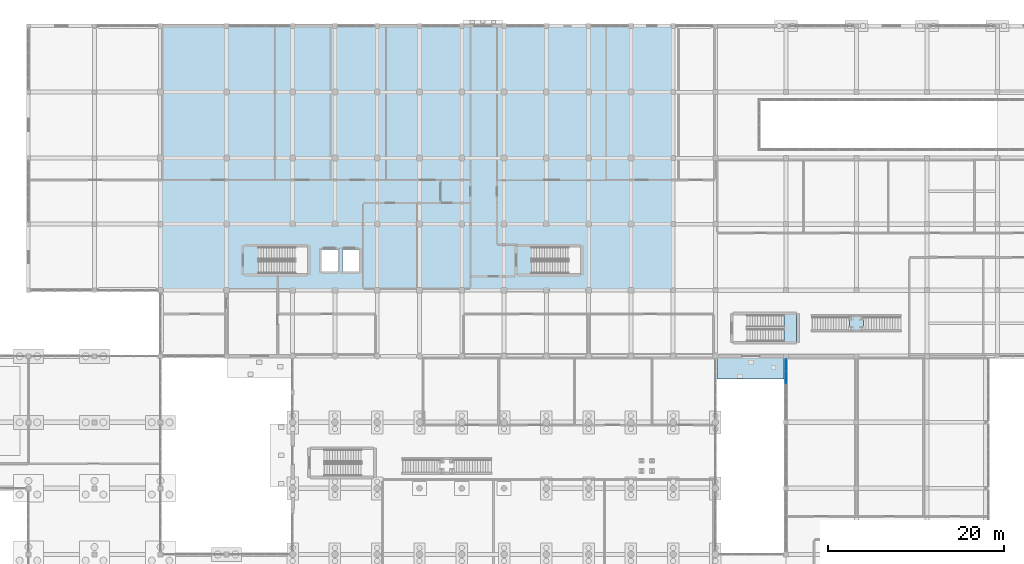
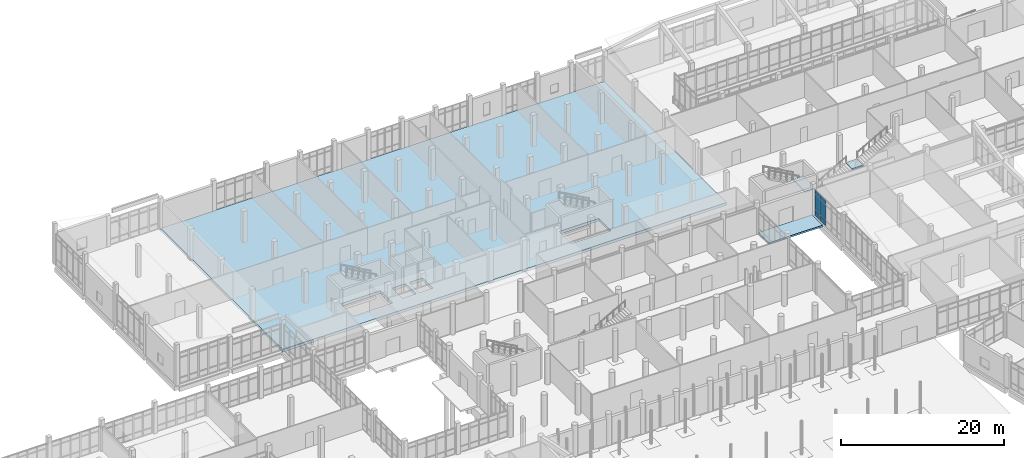
# One storey, part 138 of 173: 6 plates, 4 slabs, 3 elements without a shape of their own.
"""IFC4 building model written with IfcOpenShell, lengths in metres."""

from ifc_helpers import new_model, si_unit, direction, frame, origin, origin_2d, place, context, subcontext, project, spatial, polyline, rectangle, outline, extrude, material, layer, layer_set, type_object, element, aggregate, save


model = new_model("IFC4")

# Units and contexts
model_context = context("Model", 3, precision=1e-05, world=origin(), true_north=direction((0.0, 1.0)))
body_context = subcontext(model_context, "Body", "Model", "MODEL_VIEW")
ifc_project = project(units=[si_unit("LENGTHUNIT", "METRE"), si_unit("AREAUNIT", "SQUARE_METRE"), si_unit("VOLUMEUNIT", "CUBIC_METRE"), si_unit("PLANEANGLEUNIT", "RADIAN"), si_unit("MASSUNIT", "GRAM", prefix="KILO")], contexts=[model_context])

# Site, building, storey
site_placement = place(None, origin())
site = spatial("IfcSite", under=ifc_project, at=site_placement, CompositionType="ELEMENT")
building_placement = place(site_placement, origin())
building = spatial("IfcBuilding", under=site, at=building_placement, Name="Mawjan Specialist Oncology Clinic", CompositionType="ELEMENT")
storey_placement = place(building_placement, origin())
storey = spatial("IfcBuildingStorey", under=building, at=storey_placement, Name="L00", CompositionType="ELEMENT", Elevation=0.0)

# Slab
ifc_material_1 = material(Name="Concrete C40/50", Category="concrete")
ifc_layer_1 = layer(ifc_material_1, 0.25, Name="Concrete C40/50", Category="concrete")
ifc_layer_set_1 = layer_set([ifc_layer_1], Name="Concrete C40/50")
slab_type_1 = type_object("IfcSlabType", Name="AP-250", PredefinedType="BASESLAB", material=ifc_layer_set_1)
slab_1_placement = place(storey_placement, frame((0.0, 0.0, -0.25)))
element("IfcSlab", 1, at=slab_1_placement, inside=storey, type_object=slab_type_1, Name="Ground Exterior Paved Apron SLB-APR-K8", PredefinedType="BASESLAB", context=body_context, shape_type="SweptSolid", body=[
    extrude(outline(polyline([(108.199951171875, 73.199951171875), (115.800048828125, 73.199951171875), (115.800048828125, 75.800048828125), (108.199951171875, 75.800048828125), (108.199951171875, 73.199951171875)])), origin(), (0.0, 0.0, 1.0), 0.25),
])

# Curtain wall, plates
ifc_material_2 = material(Name="Unitised spectrally selective aluminium curtain wall", Category="aluminium")
ifc_layer_2 = layer(ifc_material_2, 0.179931640625, Name="Unitised spectrally selective aluminium curtain wall", Category="aluminium")
ifc_layer_set_2 = layer_set([ifc_layer_2], Name="Unitised spectrally selective aluminium curtain wall")
curtain_wall_type = type_object("IfcCurtainWallType", Name="CW-30", PredefinedType="NOTDEFINED", material=ifc_layer_set_2)
curtain_wall_placement = place(storey_placement, origin())
curtain_wall = element("IfcCurtainWall", 2, at=curtain_wall_placement, inside=storey, type_object=curtain_wall_type, Name="L00 Unitised Curtain Wall CW-L00-066", PredefinedType="NOTDEFINED")
ifc_material_3 = material(Name="Spectrally selective double low-E glazing", Category="glass")
ifc_layer_3 = layer(ifc_material_3, 0.035888671875, Name="Spectrally selective double low-E glazing", Category="glass")
ifc_layer_set_3 = layer_set([ifc_layer_3], Name="Spectrally selective double low-E glazing")
plate_type = type_object("IfcPlateType", Name="CW-P36", PredefinedType="CURTAIN_PANEL", material=ifc_layer_set_3)
plate_1_placement = place(storey_placement, frame((116.0, 73.424560546875, 0.06494140625), z_axis=(0.0, 0.0, 1.0), x_axis=(0.0, 1.0, 0.0)))
plate_1 = element("IfcPlate", 3, at=plate_1_placement, type_object=plate_type, Name="CW-30 panel 4.1", PredefinedType="CURTAIN_PANEL", context=body_context, shape_type="SweptSolid", body=[
    extrude(rectangle(XDim=1.322021484375, YDim=0.035888671875, at=origin_2d()), origin(), (0.0, 0.0, 1.0), 0.802490234375),
])
plate_2_placement = place(storey_placement, frame((116.0, 73.424560546875, 0.932373046875), z_axis=(0.0, 0.0, 1.0), x_axis=(0.0, 1.0, 0.0)))
plate_2 = element("IfcPlate", 4, at=plate_2_placement, type_object=plate_type, Name="CW-30 panel 4.2", PredefinedType="CURTAIN_PANEL", context=body_context, shape_type="SweptSolid", body=[
    extrude(rectangle(XDim=1.322021484375, YDim=0.035888671875, at=origin_2d()), origin(), (0.0, 0.0, 1.0), 2.27001953125),
])
plate_3_placement = place(storey_placement, frame((116.0, 73.424560546875, 3.267578125), z_axis=(0.0, 0.0, 1.0), x_axis=(0.0, 1.0, 0.0)))
plate_3 = element("IfcPlate", 5, at=plate_3_placement, type_object=plate_type, Name="CW-30 panel 4.3", PredefinedType="CURTAIN_PANEL", context=body_context, shape_type="SweptSolid", body=[
    extrude(rectangle(XDim=1.322021484375, YDim=0.035888671875, at=origin_2d()), origin(), (0.0, 0.0, 1.0), 0.652587890625),
])
plate_4_placement = place(storey_placement, frame((116.0, 74.795166015625, 0.06494140625), z_axis=(0.0, 0.0, 1.0), x_axis=(0.0, 1.0, 0.0)))
plate_4 = element("IfcPlate", 6, at=plate_4_placement, type_object=plate_type, Name="CW-30 panel 5.1", PredefinedType="CURTAIN_PANEL", context=body_context, shape_type="SweptSolid", body=[
    extrude(rectangle(XDim=1.28955078125, YDim=0.035888671875, at=origin_2d()), origin(), (0.0, 0.0, 1.0), 0.802490234375),
])
plate_5_placement = place(storey_placement, frame((116.0, 74.795166015625, 0.932373046875), z_axis=(0.0, 0.0, 1.0), x_axis=(0.0, 1.0, 0.0)))
plate_5 = element("IfcPlate", 7, at=plate_5_placement, type_object=plate_type, Name="CW-30 panel 5.2", PredefinedType="CURTAIN_PANEL", context=body_context, shape_type="SweptSolid", body=[
    extrude(rectangle(XDim=1.28955078125, YDim=0.035888671875, at=origin_2d()), origin(), (0.0, 0.0, 1.0), 2.27001953125),
])
plate_6_placement = place(storey_placement, frame((116.0, 74.795166015625, 3.267578125), z_axis=(0.0, 0.0, 1.0), x_axis=(0.0, 1.0, 0.0)))
plate_6 = element("IfcPlate", 8, at=plate_6_placement, type_object=plate_type, Name="CW-30 panel 5.3", PredefinedType="CURTAIN_PANEL", context=body_context, shape_type="SweptSolid", body=[
    extrude(rectangle(XDim=1.28955078125, YDim=0.035888671875, at=origin_2d()), origin(), (0.0, 0.0, 1.0), 0.652587890625),
])
aggregate(curtain_wall, [plate_1, plate_2, plate_3, plate_4, plate_5, plate_6])

# Slab
ifc_material_4 = material(Name="Concrete C40/50", Category="concrete")
ifc_layer_4 = layer(ifc_material_4, 0.419921875, Name="Concrete C40/50", Category="concrete")
ifc_layer_set_4 = layer_set([ifc_layer_4], Name="Concrete C40/50")
slab_type_2 = type_object("IfcSlabType", Name="FS-420F", PredefinedType="FLOOR", material=ifc_layer_set_4)
slab_2_placement = place(storey_placement, frame((0.0, 0.0, -0.419921875)))
element("IfcSlab", 9, at=slab_2_placement, inside=storey, type_object=slab_type_2, Name="L00 Day Procedure and Pharmacy Wing Slab SLB-V5-L00", PredefinedType="FLOOR", context=body_context, shape_type="SweptSolid", body=[
    extrude(outline(polyline([(45.0, 83.300048828125), (108.0, 83.300048828125), (108.0, 113.300048828125), (45.0, 113.300048828125), (45.0, 83.300048828125)]), holes=[polyline([(56.10009765625, 85.199951171875), (61.699951171875, 85.199951171875), (61.699951171875, 88.199951171875), (56.10009765625, 88.199951171875), (56.10009765625, 85.199951171875)]), polyline([(63.25, 85.449951171875), (65.14990234375, 85.449951171875), (65.14990234375, 87.949951171875), (63.25, 87.949951171875), (63.25, 85.449951171875)]), polyline([(65.64990234375, 85.449951171875), (67.550048828125, 85.449951171875), (67.550048828125, 87.949951171875), (65.64990234375, 87.949951171875), (65.64990234375, 85.449951171875)]), polyline([(87.10009765625, 85.199951171875), (92.699951171875, 85.199951171875), (92.699951171875, 88.199951171875), (87.10009765625, 88.199951171875), (87.10009765625, 85.199951171875)])]), origin(), (0.0, 0.0, 1.0), 0.419921875),
])

# Stair, slab
ifc_material_5 = material(Name="Concrete C35/45", Category="concrete")
stair_type_1 = type_object("IfcStairType", Name="STR-CORE50", PredefinedType="HALF_TURN_STAIR", material=ifc_material_5)
stair_1_placement = place(storey_placement, origin())
stair_1 = element("IfcStair", 10, at=stair_1_placement, inside=storey, type_object=stair_type_1, Name="L00 Exit Stair ST-08", PredefinedType="HALF_TURN_STAIR")
ifc_material_6 = material(Name="Concrete C35/45", Category="concrete")
ifc_layer_5 = layer(ifc_material_6, 0.199951171875, Name="Concrete C35/45", Category="concrete")
ifc_layer_set_5 = layer_set([ifc_layer_5], Name="Concrete C35/45")
slab_type_3 = type_object("IfcSlabType", Name="LND-200", PredefinedType="LANDING", material=ifc_layer_set_5)
slab_3_placement = place(storey_placement, frame((0.0, 0.0, 2.300048828125)))
slab_3 = element("IfcSlab", 11, at=slab_3_placement, type_object=slab_type_3, Name="ST-08 landing 1", PredefinedType="LANDING", context=body_context, shape_type="SweptSolid", body=[
    extrude(outline(polyline([(115.774658203125, 77.445556640625), (117.225341796875, 77.445556640625), (117.225341796875, 80.554443359375), (115.774658203125, 80.554443359375), (115.774658203125, 77.445556640625)])), origin(), (0.0, 0.0, 1.0), 0.199951171875),
])
aggregate(stair_1, [slab_3])

ifc_material_7 = material(Name="Concrete C35/45", Category="concrete")
stair_type_2 = type_object("IfcStairType", Name="STR-COMM", PredefinedType="STRAIGHT_RUN_STAIR", material=ifc_material_7)
stair_2_placement = place(storey_placement, origin())
stair_2 = element("IfcStair", 12, at=stair_2_placement, inside=storey, type_object=stair_type_2, Name="Imaging Forum Communicating Stair ST-12", PredefinedType="STRAIGHT_RUN_STAIR")
slab_4_placement = place(storey_placement, frame((0.0, 0.0, 2.300048828125)))
slab_4 = element("IfcSlab", 13, at=slab_4_placement, type_object=slab_type_3, Name="ST-12 landing 1", PredefinedType="LANDING", context=body_context, shape_type="SweptSolid", body=[
    extrude(outline(polyline([(123.199951171875, 78.764892578125), (124.800048828125, 78.764892578125), (124.800048828125, 80.3349609375), (123.199951171875, 80.3349609375), (123.199951171875, 78.764892578125)])), origin(), (0.0, 0.0, 1.0), 0.199951171875),
])
aggregate(stair_2, [slab_4])

save(model, "model.ifc")
